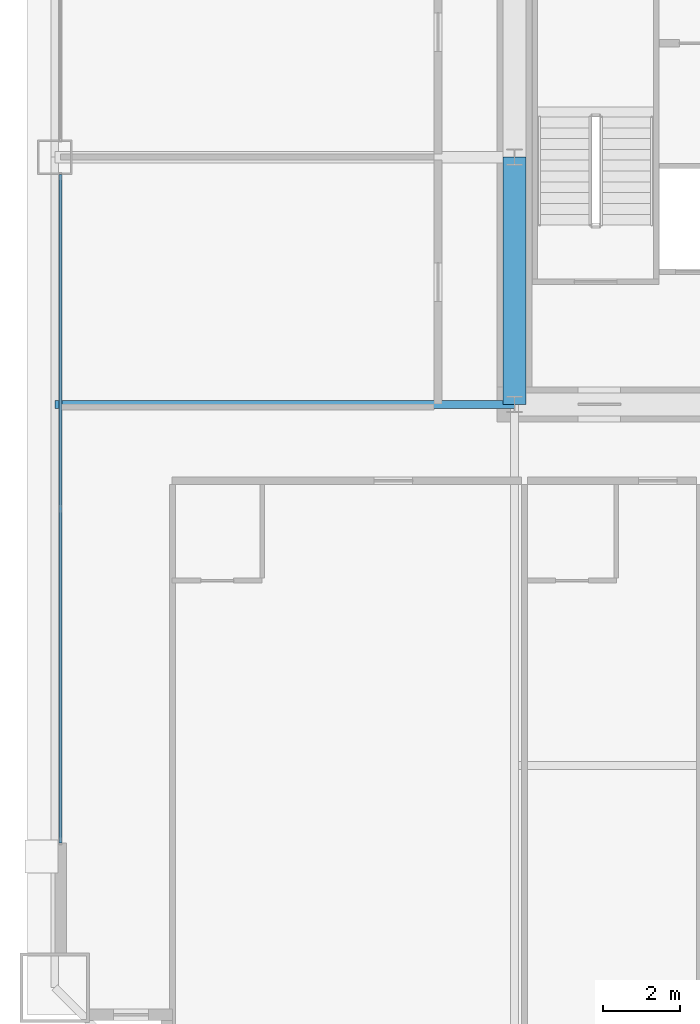
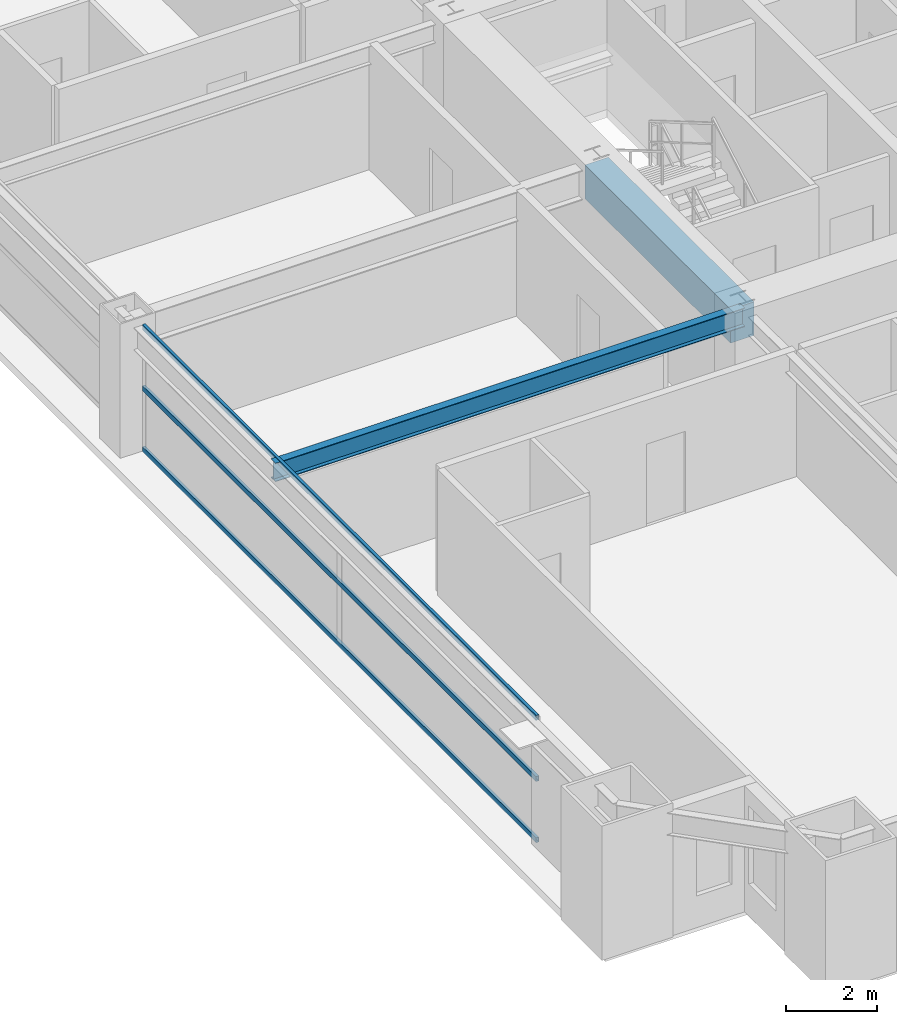
# One storey, part 11 of 43: 3 members, 2 beams, 1 element without a shape of its own.
"""IFC4 building model written with IfcOpenShell, lengths in metres."""

from ifc_helpers import new_model, si_unit, direction, frame, origin, origin_2d, place, context, subcontext, project, spatial, rectangle, hollow_rectangle, i_section, extrude, source, transform, mapped, material, layer, layer_set, material_profile, profile_set, type_object, element, aggregate, save


model = new_model("IFC4")

# Units and contexts
model_context = context("Model", 3, precision=1e-05, world=origin(), true_north=direction((0.0, 1.0)))
body_context = subcontext(model_context, "Body", "Model", "MODEL_VIEW")
ifc_project = project(units=[si_unit("LENGTHUNIT", "METRE"), si_unit("AREAUNIT", "SQUARE_METRE"), si_unit("VOLUMEUNIT", "CUBIC_METRE"), si_unit("PLANEANGLEUNIT", "RADIAN"), si_unit("MASSUNIT", "GRAM", prefix="KILO"), si_unit("THERMODYNAMICTEMPERATUREUNIT", "KELVIN"), si_unit("POWERUNIT", "WATT")], contexts=[model_context])

# Site, building, storey
site_placement = place(None, origin())
site = spatial("IfcSite", under=ifc_project, at=site_placement, CompositionType="ELEMENT")
building_placement = place(site_placement, origin())
building = spatial("IfcBuilding", under=site, at=building_placement, Name="Yuzanri Waterfront Tower", CompositionType="ELEMENT")
storey_placement = place(building_placement, frame((0.0, 0.0, 71.199951171875)))
storey = spatial("IfcBuildingStorey", under=building, at=storey_placement, Name="L18", CompositionType="ELEMENT", Elevation=71.199951171875)

# Beams
ifc_material_1 = material(Name="Concrete C60", Category="concrete")
ifc_material_profile_1 = material_profile(ifc_material_1, rectangle(XDim=0.60009765625, YDim=0.89990234375, at=origin_2d()), Name="RC 600x900")
ifc_profile_set_1 = profile_set([ifc_material_profile_1], Name="Concrete C60")
beam_type_1 = type_object("IfcBeamType", Name="Core Coupling Lintel Concrete C60 600x900", PredefinedType="LINTEL", material=ifc_profile_set_1)
shared_shape_1 = source(origin(), body_context, "Body", "SweptSolid", [
    extrude(rectangle(XDim=0.60009765625, YDim=0.89990234375, at=origin_2d()), origin(), (0.0, 0.0, 1.0), 6.400146484375),
])
beam_1_placement = place(storey_placement, frame((23.800048828125, 19.39990234375, 2.929931640625), z_axis=(0.0, 1.0, 0.0), x_axis=(-1.0, 0.0, 0.0)))
element("IfcBeam", 1, at=beam_1_placement, inside=storey, type_object=beam_type_1, Name="L18 Core Tie Beam CW1", PredefinedType="LINTEL", context=body_context, shape_type="MappedRepresentation", body=[
    mapped(shared_shape_1, transform((0.0, 0.0, 0.0), scale=1.0)),
])
ifc_material_2 = material(Name="Steel Q355B", Category="steel")
ifc_material_profile_2 = material_profile(ifc_material_2, i_section(OverallWidth=0.199951171875, OverallDepth=0.5, WebThickness=0.010009765625, FlangeThickness=0.01611328125, at=origin_2d()), Name="HN 500x200x10x16")
ifc_profile_set_2 = profile_set([ifc_material_profile_2], Name="Steel Q355B")
beam_type_2 = type_object("IfcBeamType", Name="Secondary Floor Beam Q355B HN 500x200", PredefinedType="BEAM", material=ifc_profile_set_2)
shared_shape_2 = source(origin(), body_context, "Body", "SweptSolid", [
    extrude(i_section(OverallWidth=0.199951171875, OverallDepth=0.5, WebThickness=0.010009765625, FlangeThickness=0.01611328125, at=origin_2d()), origin(), (0.0, 0.0, 1.0), 11.900146484375),
])
beam_2_placement = place(storey_placement, frame((23.800048828125, 19.39990234375, 3.130126953125), z_axis=(-1.0, 0.0, 0.0), x_axis=(0.0, -1.0, 0.0)))
element("IfcBeam", 2, at=beam_2_placement, inside=storey, type_object=beam_type_2, Name="L18 West-South Core Line Beam", PredefinedType="BEAM", context=body_context, shape_type="MappedRepresentation", body=[
    mapped(shared_shape_2, transform((0.0, 0.0, 0.0), scale=1.0)),
])

# Curtain wall, members
ifc_material_3 = material(Name="Anodized Architectural Bronze", Category="metal")
ifc_layer = layer(ifc_material_3, 0.159912109375)
ifc_layer_set = layer_set([ifc_layer], Name="Anodized Architectural Bronze")
curtain_wall_type = type_object("IfcCurtainWallType", Name="Anodized Bronze Hotel Lower-Tier Recessed Unitized Curtain Wall 8100", PredefinedType="NOTDEFINED", material=ifc_layer_set)
curtain_wall_placement = place(storey_placement, origin())
curtain_wall = element("IfcCurtainWall", 3, at=curtain_wall_placement, inside=storey, type_object=curtain_wall_type, Name="L18 Curtain Wall CW-L18-WL", PredefinedType="NOTDEFINED")
ifc_material_4 = material(Name="Anodized Architectural Bronze", Category="metal")
ifc_material_profile_3 = material_profile(ifc_material_4, hollow_rectangle(XDim=0.070068359375, YDim=0.135009765625, WallThickness=0.00341796875, at=origin_2d()), Name="CWT 70x135")
ifc_profile_set_3 = profile_set([ifc_material_profile_3], Name="Anodized Architectural Bronze")
member_type = type_object("IfcMemberType", Name="Anodized Bronze Standard Curtain-Wall Transom 70x135", PredefinedType="USERDEFINED", material=ifc_profile_set_3)
shared_shape_3 = source(origin(), body_context, "Body", "SweptSolid", [
    extrude(hollow_rectangle(XDim=0.070068359375, YDim=0.135009765625, WallThickness=0.00341796875, at=origin_2d()), origin(), (0.0, 0.0, 1.0), 17.300048828125),
])
member_1_placement = place(storey_placement, frame((12.050048828125, 8.050048828125, 0.050048828125), z_axis=(0.0, 1.0, 0.0), x_axis=(-1.0, 0.0, 0.0)))
member_1 = element("IfcMember", 4, at=member_1_placement, type_object=member_type, Name="CW-L18-WL Transom 1", ObjectType="TRANSOM", PredefinedType="USERDEFINED", context=body_context, shape_type="MappedRepresentation", body=[
    mapped(shared_shape_3, transform((0.0, 0.0, 0.0), scale=1.0)),
])
member_2_placement = place(storey_placement, frame((12.050048828125, 8.050048828125, 1.68994140625), z_axis=(0.0, 1.0, 0.0), x_axis=(-1.0, 0.0, 0.0)))
member_2 = element("IfcMember", 5, at=member_2_placement, type_object=member_type, Name="CW-L18-WL Transom 2", ObjectType="TRANSOM", PredefinedType="USERDEFINED", context=body_context, shape_type="MappedRepresentation", body=[
    mapped(shared_shape_3, transform((0.0, 0.0, 0.0), scale=1.0)),
])
member_3_placement = place(storey_placement, frame((12.050048828125, 8.050048828125, 3.330078125), z_axis=(0.0, 1.0, 0.0), x_axis=(-1.0, 0.0, 0.0)))
member_3 = element("IfcMember", 6, at=member_3_placement, type_object=member_type, Name="CW-L18-WL Transom 3", ObjectType="TRANSOM", PredefinedType="USERDEFINED", context=body_context, shape_type="MappedRepresentation", body=[
    mapped(shared_shape_3, transform((0.0, 0.0, 0.0), scale=1.0)),
])
aggregate(curtain_wall, [member_1, member_2, member_3])

save(model, "model.ifc")
